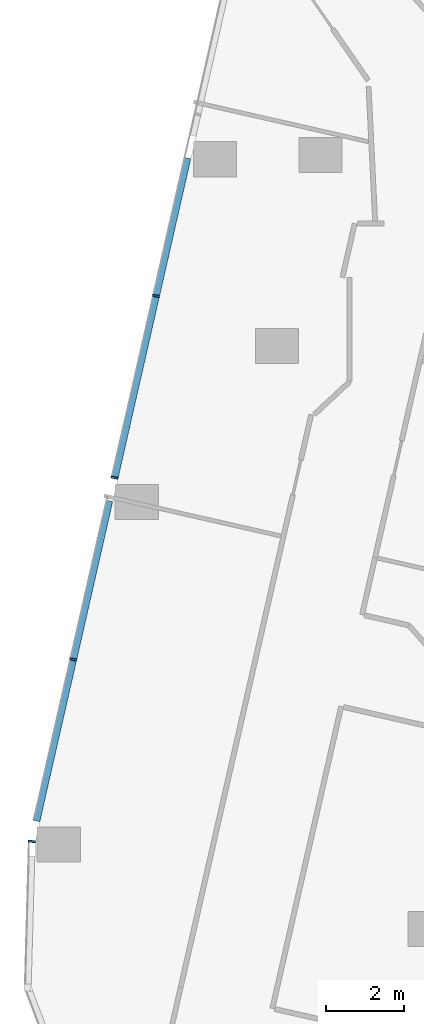
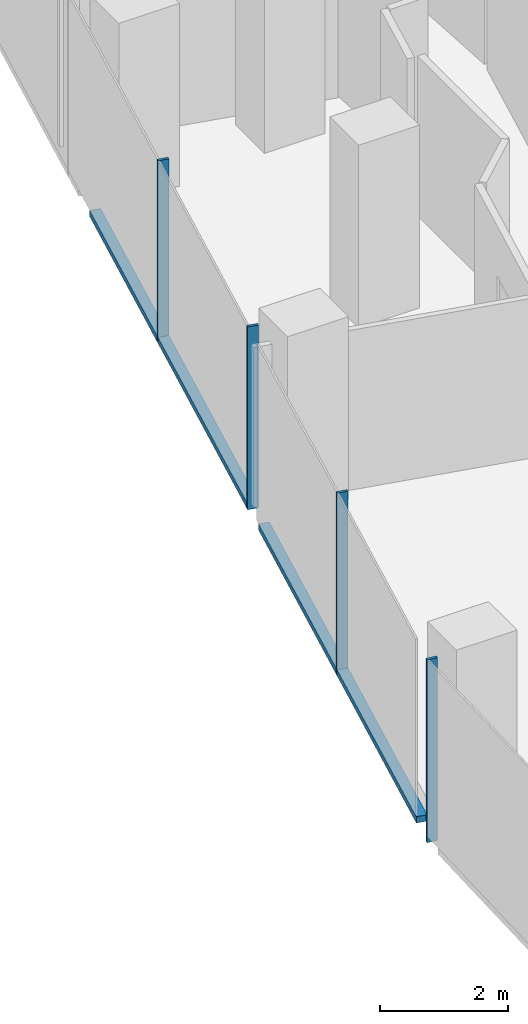
# One storey, part 4 of 24: 6 members, 1 element without a shape of its own.
"""IFC4 building model written with IfcOpenShell, lengths in metres."""

from ifc_helpers import new_model, si_unit, direction, frame, origin, origin_2d, place, context, subcontext, project, spatial, rectangle, extrude, material, material_profile, profile_set, type_object, element, aggregate, save


model = new_model("IFC4")

# Units and contexts
model_context = context("Model", 3, precision=1e-05, world=origin(), true_north=direction((0.0, 1.0)))
body_context = subcontext(model_context, "Body", "Model", "MODEL_VIEW")
ifc_project = project(units=[si_unit("LENGTHUNIT", "METRE"), si_unit("AREAUNIT", "SQUARE_METRE"), si_unit("VOLUMEUNIT", "CUBIC_METRE"), si_unit("PLANEANGLEUNIT", "RADIAN"), si_unit("MASSUNIT", "GRAM", prefix="KILO")], contexts=[model_context])

# Site, building, storey
site_placement = place(None, origin())
site = spatial("IfcSite", under=ifc_project, at=site_placement, CompositionType="ELEMENT")
building_placement = place(site_placement, origin())
building = spatial("IfcBuilding", under=site, at=building_placement, Name="Orlundy Tower", CompositionType="ELEMENT")
storey_placement = place(building_placement, frame((0.0, 0.0, 170.60009765625)))
storey = spatial("IfcBuildingStorey", under=building, at=storey_placement, Name="L44", CompositionType="ELEMENT", Elevation=170.60009765625)

# Curtain wall, members
ifc_material_1 = material(Name="Aluminium bronze anodised", Category="aluminium")
curtain_wall_type = type_object("IfcCurtainWallType", Name="CW1 wall", PredefinedType="NOTDEFINED", material=ifc_material_1)
curtain_wall_placement = place(storey_placement, origin())
curtain_wall = element("IfcCurtainWall", 1, at=curtain_wall_placement, inside=storey, type_object=curtain_wall_type, Name="CW1 run 00", PredefinedType="NOTDEFINED")
ifc_material_2 = material(Name="Aluminium bronze anodised", Category="aluminium")
ifc_material_profile_1 = material_profile(ifc_material_2, rectangle(XDim=0.179931640625, YDim=0.050048828125, at=origin_2d()), Name="CW1 mullion 50x180")
ifc_profile_set_1 = profile_set([ifc_material_profile_1], Name="Aluminium bronze anodised")
member_type_1 = type_object("IfcMemberType", Name="CW1 mullion 50x180", PredefinedType="MULLION", material=ifc_profile_set_1)
member_1_placement = place(storey_placement, frame((-30.917724609375, -45.272705078125, -0.420166015625), z_axis=(0.0, 0.0, 1.0), x_axis=(-0.992087726333, 0.12554657805, 0.0)))
member_1 = element("IfcMember", 2, at=member_1_placement, type_object=member_type_1, Name="CW1 mullion 1", PredefinedType="MULLION", context=body_context, shape_type="SweptSolid", body=[
    extrude(rectangle(XDim=0.179931640625, YDim=0.050048828125, at=origin_2d()), origin(), (0.0, 0.0, 1.0), 3.5),
])
member_2_placement = place(storey_placement, frame((-29.859619140625, -40.62744140625, -0.420166015625), z_axis=(0.0, 0.0, 1.0), x_axis=(-0.97502463614, 0.222096733251, 0.0)))
member_2 = element("IfcMember", 3, at=member_2_placement, type_object=member_type_1, Name="CW1 mullion 2", PredefinedType="MULLION", context=body_context, shape_type="SweptSolid", body=[
    extrude(rectangle(XDim=0.179931640625, YDim=0.050048828125, at=origin_2d()), origin(), (0.0, 0.0, 1.0), 3.5),
])
member_3_placement = place(storey_placement, frame((-28.803466796875, -35.99072265625, -0.420166015625), z_axis=(0.0, 0.0, 1.0), x_axis=(-0.97502463614, 0.222096733251, 0.0)))
member_3 = element("IfcMember", 4, at=member_3_placement, type_object=member_type_1, Name="CW1 mullion 3", PredefinedType="MULLION", context=body_context, shape_type="SweptSolid", body=[
    extrude(rectangle(XDim=0.179931640625, YDim=0.050048828125, at=origin_2d()), origin(), (0.0, 0.0, 1.0), 3.5),
])
member_4_placement = place(storey_placement, frame((-27.747314453125, -31.35400390625, -0.420166015625), z_axis=(0.0, 0.0, 1.0), x_axis=(-0.97502463614, 0.222096733251, 0.0)))
member_4 = element("IfcMember", 5, at=member_4_placement, type_object=member_type_1, Name="CW1 mullion 4", PredefinedType="MULLION", context=body_context, shape_type="SweptSolid", body=[
    extrude(rectangle(XDim=0.179931640625, YDim=0.050048828125, at=origin_2d()), origin(), (0.0, 0.0, 1.0), 3.5),
])
ifc_material_3 = material(Name="Aluminium bronze anodised", Category="aluminium")
ifc_material_profile_2 = material_profile(ifc_material_3, rectangle(XDim=0.179931640625, YDim=0.1201171875, at=origin_2d()), Name="CW1 transom 180x120")
ifc_profile_set_2 = profile_set([ifc_material_profile_2], Name="Aluminium bronze anodised")
member_type_2 = type_object("IfcMemberType", Name="CW1 transom 180x120", PredefinedType="USERDEFINED", material=ifc_profile_set_2)
member_5_placement = place(storey_placement, frame((-30.799072265625, -44.751953125, -0.360107421875), z_axis=(0.222091789756, 0.975025762184, 0.0), x_axis=(-0.975025762184, 0.222091789756, 0.0)))
member_5 = element("IfcMember", 6, at=member_5_placement, type_object=member_type_2, Name="CW1 transom", ObjectType="TRANSOM", PredefinedType="USERDEFINED", context=body_context, shape_type="SweptSolid", body=[
    extrude(rectangle(XDim=0.179931640625, YDim=0.1201171875, at=origin_2d()), origin(), (0.0, 0.0, 1.0), 8.38427734375),
])
member_6_placement = place(storey_placement, frame((-28.8076171875, -36.009033203125, -0.360107421875), z_axis=(0.222090405323, 0.97502607753, 0.0), x_axis=(-0.97502607753, 0.222090405323, 0.0)))
member_6 = element("IfcMember", 7, at=member_6_placement, type_object=member_type_2, Name="CW1 transom", ObjectType="TRANSOM", PredefinedType="USERDEFINED", context=body_context, shape_type="SweptSolid", body=[
    extrude(rectangle(XDim=0.179931640625, YDim=0.1201171875, at=origin_2d()), origin(), (0.0, 0.0, 1.0), 8.386474609375),
])
aggregate(curtain_wall, [member_1, member_2, member_3, member_4, member_5, member_6])

save(model, "model.ifc")
